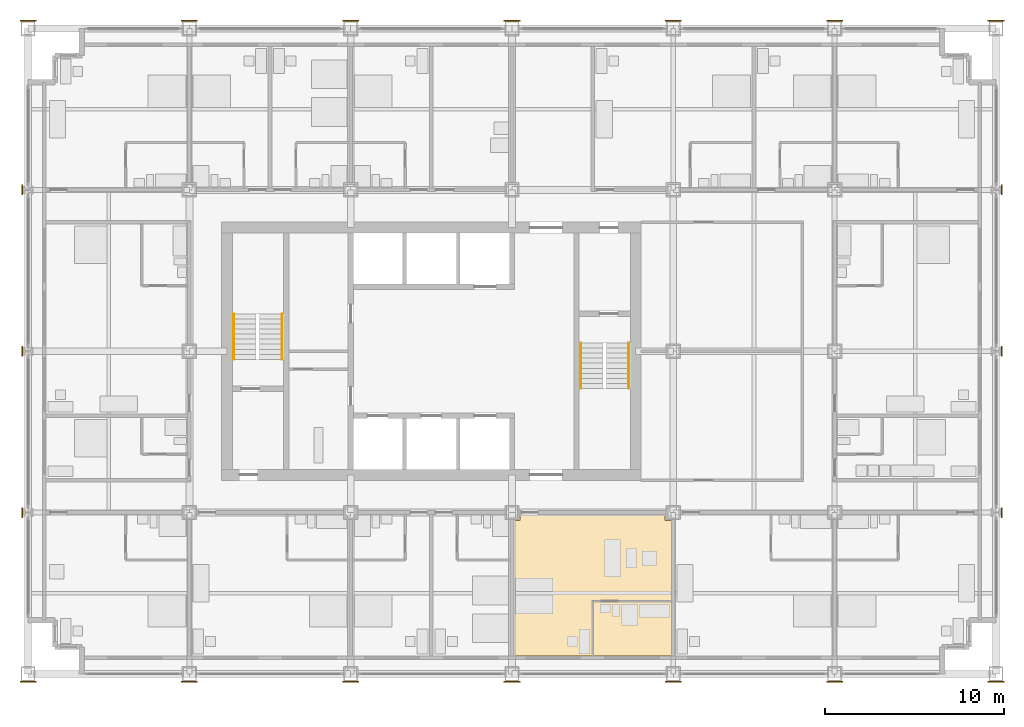
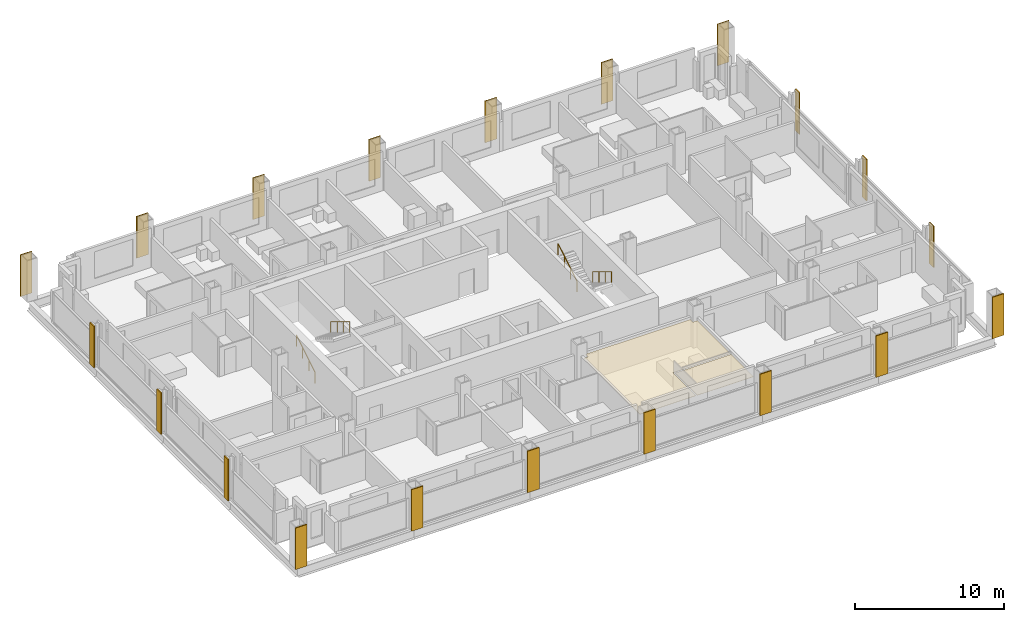
# One storey, part 16 of 18: 22 coverings, 4 railings.
"""IFC4 building model written with IfcOpenShell, lengths in metres."""

import ifcopenshell
import ifcopenshell.guid

model = None  # the IFC model being written
_history = None  # IfcOwnerHistory: only IFC2X3 demands one
_inside = {}  # id of a spatial element -> (the spatial element, [elements in it])
_under = {}  # id of a project, library or spatial element -> (it, [spatial elements below it])
_declared = {}  # id of a project -> (the project, [libraries it declares])
_typed = {}  # id of a type object -> (the type object, [elements of that type])
_made_of = {}  # id of a material, layer set ... -> (it, [elements and type objects made of it])


def new_model(schema):
    """Start an empty IFC model of exactly this schema.

    Asked for "IFC4X3", IfcOpenShell would pick the latest addendum, in which some entities
    have other attributes; the version numbers below select the first issue.
    IFC2X3 requires an IfcOwnerHistory on every rooted entity: one is made here for all.
    """
    global model, _history
    if schema == "IFC4X3":
        model = ifcopenshell.file(schema_version=(4, 3, 0, 0))
    else:
        model = ifcopenshell.file(schema=schema)
    _inside.clear()
    _under.clear()
    _declared.clear()
    _typed.clear()
    _made_of.clear()
    _history = None
    if model.schema == "IFC2X3":
        org = make("IfcOrganization", Name="unknown")
        user = make(
            "IfcPersonAndOrganization",
            ThePerson=make("IfcPerson", FamilyName="unknown"),
            TheOrganization=org,
        )
        app = make(
            "IfcApplication",
            ApplicationDeveloper=org,
            Version="unknown",
            ApplicationFullName="unknown",
            ApplicationIdentifier="unknown",
        )
        _history = make(
            "IfcOwnerHistory",
            OwningUser=user,
            OwningApplication=app,
            ChangeAction="ADDED",
            CreationDate=0,
        )
    return model


def make(cls, **values):
    """One entity of the class cls with the attributes given. An attribute that is None is left unset."""
    return model.create_entity(
        cls, **{name: value for name, value in values.items() if value is not None}
    )


def rooted(cls, **values):
    """An entity with a GlobalId (a new one), such as an element, a storey or a relation."""
    return make(cls, GlobalId=ifcopenshell.guid.new(), OwnerHistory=_history, **values)


def si_unit(unit_type, name, prefix=None):
    """IfcSIUnit, for example si_unit("LENGTHUNIT", "METRE", prefix="MILLI")."""
    return make("IfcSIUnit", UnitType=unit_type, Prefix=prefix, Name=name)


def assignment(units):
    """IfcUnitAssignment: the units of a project."""
    return None if units is None else make("IfcUnitAssignment", Units=units)


def point(xyz):
    """IfcCartesianPoint."""
    return None if xyz is None else make("IfcCartesianPoint", Coordinates=xyz)


def direction(xyz):
    """IfcDirection."""
    return None if xyz is None else make("IfcDirection", DirectionRatios=xyz)


def frame(location, z_axis=None, x_axis=None):
    """IfcAxis2Placement3D, a coordinate frame: its origin and axes. An axis left out is left unset."""
    return make(
        "IfcAxis2Placement3D",
        Location=point(location),
        Axis=direction(z_axis),
        RefDirection=direction(x_axis),
    )


def frame_2d(location, x_axis=None):
    """IfcAxis2Placement2D, a coordinate frame in the plane: its origin and x axis."""
    return make(
        "IfcAxis2Placement2D", Location=point(location), RefDirection=direction(x_axis)
    )


def origin():
    """The frame at (0, 0, 0) with its axes left unset."""
    return frame((0.0, 0.0, 0.0))


def origin_2d():
    """The frame at (0, 0) in the plane with its x axis left unset."""
    return frame_2d((0.0, 0.0))


def place(relative_to, where):
    """IfcLocalPlacement: puts the frame where relative to a parent placement (None: the world)."""
    return make(
        "IfcLocalPlacement", PlacementRelTo=relative_to, RelativePlacement=where
    )


def context(
    kind, dimensions, precision=None, world=None, true_north=None, identifier=None
):
    """IfcGeometricRepresentationContext, for example the 3D "Model" context."""
    return make(
        "IfcGeometricRepresentationContext",
        ContextIdentifier=identifier,
        ContextType=kind,
        CoordinateSpaceDimension=dimensions,
        Precision=precision,
        WorldCoordinateSystem=world,
        TrueNorth=true_north,
    )


def subcontext(parent, identifier, kind, view, scale=None):
    """IfcGeometricRepresentationSubContext, for example "Body" below "Model"."""
    return make(
        "IfcGeometricRepresentationSubContext",
        ContextIdentifier=identifier,
        ContextType=kind,
        ParentContext=parent,
        TargetScale=scale,
        TargetView=view,
    )


def project(units=None, contexts=None):
    """IfcProject with its units and contexts."""
    return rooted(
        "IfcProject",
        Name="project",
        RepresentationContexts=contexts,
        UnitsInContext=assignment(units),
    )


def spatial(cls, under=None, at=None, **own):
    """A site, building, storey or space (cls), placed at a placement, below another one or the project."""
    s = rooted(cls, ObjectPlacement=at, **own)
    if under is not None:
        _under.setdefault(under.id(), (under, []))[1].append(s)
    return s


def polyline(points):
    """IfcPolyline through the points."""
    return make("IfcPolyline", Points=[point(p) for p in points])


def profile(cls, at=None, kind="AREA", **sizes):
    """A parametric profile (cls). Its sizes go by their IFC names, for example OverallWidth=200.0."""
    return make(cls, ProfileType=kind, Position=at, **sizes)


def rectangle(**sizes):
    """IfcRectangleProfileDef."""
    return profile("IfcRectangleProfileDef", **sizes)


def circle(**sizes):
    """IfcCircleProfileDef."""
    return profile("IfcCircleProfileDef", **sizes)


def outline(outer, holes=None, kind="AREA"):
    """IfcArbitraryClosedProfileDef: a profile drawn as a closed curve; with holes, ...WithVoids."""
    if holes is None:
        return make("IfcArbitraryClosedProfileDef", ProfileType=kind, OuterCurve=outer)
    return make(
        "IfcArbitraryProfileDefWithVoids",
        ProfileType=kind,
        OuterCurve=outer,
        InnerCurves=holes,
    )


def extrude(swept, where, along, depth):
    """IfcExtrudedAreaSolid: the profile swept, set in the frame where, extruded along a direction by depth."""
    return make(
        "IfcExtrudedAreaSolid",
        SweptArea=swept,
        Position=where,
        ExtrudedDirection=direction(along),
        Depth=depth,
    )


def shape(context_of_items, identifier, shape_type, items):
    """IfcShapeRepresentation: the items that make up one representation, for example the "Body"."""
    return make(
        "IfcShapeRepresentation",
        ContextOfItems=context_of_items,
        RepresentationIdentifier=identifier,
        RepresentationType=shape_type,
        Items=items,
    )


def material(Name=None, Category=None):
    """IfcMaterial."""
    return make("IfcMaterial", Name=Name, Category=Category)


def layer(
    of_material, thickness, ventilated=None, Name=None, Category=None, Priority=None
):
    """IfcMaterialLayer: one layer of a wall or slab, of a material (None: an air gap)."""
    return make(
        "IfcMaterialLayer",
        Material=of_material,
        LayerThickness=thickness,
        IsVentilated=ventilated,
        Name=Name,
        Category=Category,
        Priority=Priority,
    )


def layer_set(layers, Name=None):
    """IfcMaterialLayerSet."""
    return make("IfcMaterialLayerSet", MaterialLayers=layers, LayerSetName=Name)


def made_of(thing, what):
    """Note that an element or type object is made of a material, layer set ...; save() writes the relation."""
    if what is not None:
        _made_of.setdefault(what.id(), (what, []))[1].append(thing)
    return thing


def type_object(cls, material=None, **own):
    """A type object (cls), such as IfcWallType, which elements share."""
    return made_of(rooted(cls, **own), material)


def element(
    cls,
    number,
    at=None,
    inside=None,
    cuts=None,
    type_object=None,
    material=None,
    context=None,
    identifier="Body",
    shape_type=None,
    held_by="IfcProductDefinitionShape",
    body=None,
    shapes=None,
    **own,
):
    """One element of the class cls, such as IfcWall. Its Tag is "e" and its number.

    at: its placement. inside: the storey or other place that contains it. cuts: it is an
    opening in that element (IfcRelVoidsElement). A single representation is given by context,
    identifier, shape_type and body (its items); several are given by shapes. held_by: the class
    of the entity that holds the representations. save() writes the other relations.
    """
    e = rooted(cls, Tag="e%d" % number, ObjectPlacement=at, **own)
    if body is not None:
        shapes = [shape(context, identifier, shape_type, body)]
    if shapes is not None:
        e.Representation = make(held_by, Representations=shapes)
    if inside is not None:
        _inside.setdefault(inside.id(), (inside, []))[1].append(e)
    if cuts is not None:
        rooted(
            "IfcRelVoidsElement", RelatingBuildingElement=cuts, RelatedOpeningElement=e
        )
    if type_object is not None:
        _typed.setdefault(type_object.id(), (type_object, []))[1].append(e)
    return made_of(e, material)


def aggregate(whole, parts):
    """IfcRelAggregates: a whole, such as a stair, and the parts it consists of."""
    return rooted("IfcRelAggregates", RelatingObject=whole, RelatedObjects=parts)


def save(model, path):
    """Write the relations noted so far, then the file.

    IfcRelAggregates (storeys below a building ...), IfcRelContainedInSpatialStructure (elements
    in a storey), IfcRelDefinesByType, IfcRelAssociatesMaterial and IfcRelDeclares: one each for
    every whole, place, type object, material and project.
    """
    for whole, parts in _under.values():
        aggregate(whole, parts)
    for where, things in _inside.values():
        rooted(
            "IfcRelContainedInSpatialStructure",
            RelatedElements=things,
            RelatingStructure=where,
        )
    for kind, things in _typed.values():
        rooted("IfcRelDefinesByType", RelatedObjects=things, RelatingType=kind)
    for what, things in _made_of.values():
        rooted("IfcRelAssociatesMaterial", RelatedObjects=things, RelatingMaterial=what)
    for by, libraries in _declared.values():
        rooted("IfcRelDeclares", RelatingContext=by, RelatedDefinitions=libraries)
    model.write(path)


model = new_model("IFC4")

# Units and contexts
model_context = context("Model", 3, precision=1e-05, world=origin(), true_north=direction((0.0, 1.0)))
body_context = subcontext(model_context, "Body", "Model", "MODEL_VIEW")
ifc_project = project(units=[si_unit("LENGTHUNIT", "METRE"), si_unit("AREAUNIT", "SQUARE_METRE"), si_unit("VOLUMEUNIT", "CUBIC_METRE"), si_unit("PLANEANGLEUNIT", "RADIAN"), si_unit("MASSUNIT", "GRAM", prefix="KILO")], contexts=[model_context])

# Site, building, storey
site_placement = place(None, origin())
site = spatial("IfcSite", under=ifc_project, at=site_placement, CompositionType="ELEMENT")
building_placement = place(site_placement, origin())
building = spatial("IfcBuilding", under=site, at=building_placement, Name="Loomwork Tower", CompositionType="ELEMENT")
storey_placement = place(building_placement, frame((0.0, 0.0, 62.0)))
storey = spatial("IfcBuildingStorey", under=building, at=storey_placement, Name="L15", CompositionType="ELEMENT", Elevation=62.0)

# Railings
ifc_material_1 = material(Name="Stainless steel handrail", Category="steel")
railing_type = type_object("IfcRailingType", Name="Handrail 900", PredefinedType="HANDRAIL", material=ifc_material_1)
railing_1_placement = place(storey_placement, frame((11.485107421875, 17.550048828125, 0.169921875)))
element("IfcRailing", 1, at=railing_1_placement, inside=storey, type_object=railing_type, Name="Stair A handrail flight 1 L15", PredefinedType="HANDRAIL", context=body_context, shape_type="SweptSolid", body=[
    extrude(circle(Radius=0.02392578125, at=origin_2d()), frame((0.0, 0.0, 0.8759765625), z_axis=(0.0, 0.85478489116, 0.518982456201), x_axis=(-1.0, 0.0, 0.0)), (0.0, 0.0, 1.0), 2.9482421875),
    extrude(circle(Radius=0.02099609375, at=origin_2d()), origin(), (0.0, 0.0, 1.0), 0.851806640625),
    extrude(circle(Radius=0.02099609375, at=origin_2d()), frame((0.0, 0.840087890625, 0.510009765625)), (0.0, 0.0, 1.0), 0.851806640625),
    extrude(circle(Radius=0.02099609375, at=origin_2d()), frame((0.0, 1.679931640625, 1.02001953125)), (0.0, 0.0, 1.0), 0.851806640625),
    extrude(circle(Radius=0.02099609375, at=origin_2d()), frame((0.0, 2.52001953125, 1.530029296875)), (0.0, 0.0, 1.0), 0.851806640625),
])
railing_2_placement = place(storey_placement, frame((14.1650390625, 20.070068359375, 1.8701171875)))
element("IfcRailing", 2, at=railing_2_placement, inside=storey, type_object=railing_type, Name="Stair A handrail flight 2 L15", PredefinedType="HANDRAIL", context=body_context, shape_type="SweptSolid", body=[
    extrude(circle(Radius=0.02392578125, at=origin_2d()), frame((0.0, 0.0, 0.8759765625), z_axis=(0.0, -0.854821627497, 0.518921945155), x_axis=(1.0, 0.0, 0.0)), (0.0, 0.0, 1.0), 2.947998046875),
    extrude(circle(Radius=0.02099609375, at=origin_2d()), origin(), (0.0, 0.0, 1.0), 0.851806640625),
    extrude(circle(Radius=0.02099609375, at=origin_2d()), frame((0.0, -0.840087890625, 0.510009765625)), (0.0, 0.0, 1.0), 0.851806640625),
    extrude(circle(Radius=0.02099609375, at=origin_2d()), frame((0.0, -1.679931640625, 1.019775390625)), (0.0, 0.0, 1.0), 0.851806640625),
    extrude(circle(Radius=0.02099609375, at=origin_2d()), frame((0.0, -2.52001953125, 1.52978515625)), (0.0, 0.0, 1.0), 0.851806640625),
])
railing_3_placement = place(storey_placement, frame((33.514892578125, 18.449951171875, 0.169921875)))
element("IfcRailing", 3, at=railing_3_placement, inside=storey, type_object=railing_type, Name="Stair B handrail flight 1 L15", PredefinedType="HANDRAIL", context=body_context, shape_type="SweptSolid", body=[
    extrude(circle(Radius=0.02392578125, at=origin_2d()), frame((0.0, 0.0, 0.8759765625), z_axis=(0.0, -0.85478489116, 0.518982456201), x_axis=(1.0, 0.0, 0.0)), (0.0, 0.0, 1.0), 2.9482421875),
    extrude(circle(Radius=0.02099609375, at=origin_2d()), origin(), (0.0, 0.0, 1.0), 0.851806640625),
    extrude(circle(Radius=0.02099609375, at=origin_2d()), frame((0.0, -0.840087890625, 0.510009765625)), (0.0, 0.0, 1.0), 0.851806640625),
    extrude(circle(Radius=0.02099609375, at=origin_2d()), frame((0.0, -1.679931640625, 1.02001953125)), (0.0, 0.0, 1.0), 0.851806640625),
    extrude(circle(Radius=0.02099609375, at=origin_2d()), frame((0.0, -2.52001953125, 1.530029296875)), (0.0, 0.0, 1.0), 0.851806640625),
])
railing_4_placement = place(storey_placement, frame((30.8349609375, 15.929931640625, 1.8701171875)))
element("IfcRailing", 4, at=railing_4_placement, inside=storey, type_object=railing_type, Name="Stair B handrail flight 2 L15", PredefinedType="HANDRAIL", context=body_context, shape_type="SweptSolid", body=[
    extrude(circle(Radius=0.02392578125, at=origin_2d()), frame((0.0, 0.0, 0.8759765625), z_axis=(0.0, 0.854821627497, 0.518921945155), x_axis=(-1.0, 0.0, 0.0)), (0.0, 0.0, 1.0), 2.947998046875),
    extrude(circle(Radius=0.02099609375, at=origin_2d()), origin(), (0.0, 0.0, 1.0), 0.851806640625),
    extrude(circle(Radius=0.02099609375, at=origin_2d()), frame((0.0, 0.840087890625, 0.510009765625)), (0.0, 0.0, 1.0), 0.851806640625),
    extrude(circle(Radius=0.02099609375, at=origin_2d()), frame((0.0, 1.679931640625, 1.019775390625)), (0.0, 0.0, 1.0), 0.851806640625),
    extrude(circle(Radius=0.02099609375, at=origin_2d()), frame((0.0, 2.52001953125, 1.52978515625)), (0.0, 0.0, 1.0), 0.851806640625),
])

# Coverings
ifc_material_2 = material(Name="Limestone", Category="masonry")
ifc_layer_1 = layer(ifc_material_2, 0.080078125)
ifc_layer_set_1 = layer_set([ifc_layer_1], Name="Limestone pier facing 80")
covering_type_1 = type_object("IfcCoveringType", Name="Limestone pier facing 80", PredefinedType="CLADDING", material=ifc_layer_set_1)
covering_1_placement = place(storey_placement, frame((0.0, -0.43994140625, 0.0), z_axis=(0.0, 0.0, 1.0), x_axis=(1.0, 0.0, 0.0)))
element("IfcCovering", 5, at=covering_1_placement, inside=storey, type_object=covering_type_1, Name="Pier facing D/2 L15", PredefinedType="CLADDING", context=body_context, shape_type="SweptSolid", body=[
    extrude(rectangle(XDim=0.89990234375, YDim=0.080078125, at=origin_2d()), origin(), (0.0, 0.0, 1.0), 3.39990234375),
])
for number, where, z_axis, x_axis, name in (
    (6, (-0.324462890625, 9.0, 0.0), (0.0, 0.0, 1.0), (1.0, 0.0, 0.0), "Pier facing E/2 L15"),
    (7, (-0.324462890625, 18.0, 0.0), (0.0, 0.0, 1.0), (1.0, 0.0, 0.0), "Pier facing F/2 L15"),
    (8, (-0.324462890625, 27.0, 0.0), (0.0, 0.0, 1.0), (1.0, 0.0, 0.0), "Pier facing G/2 L15"),
):
    element("IfcCovering", number, at=place(storey_placement, frame(where, z_axis=z_axis, x_axis=x_axis)), inside=storey, type_object=covering_type_1, Name=name, PredefinedType="CLADDING", context=body_context, shape_type="SweptSolid", body=[
        extrude(rectangle(XDim=0.080078125, YDim=0.5546875, at=origin_2d()), origin(), (0.0, 0.0, 1.0), 3.39990234375),
    ])
for number, where, z_axis, x_axis, name in (
    (9, (0.0, 36.43994140625, 0.0), (0.0, 0.0, 1.0), (1.0, 0.0, 0.0), "Pier facing H/2 L15"),
    (10, (9.0, -0.43994140625, 0.0), (0.0, 0.0, 1.0), (1.0, 0.0, 0.0), "Pier facing D/3 L15"),
    (11, (9.0, 36.43994140625, 0.0), (0.0, 0.0, 1.0), (1.0, 0.0, 0.0), "Pier facing H/3 L15"),
    (12, (18.0, -0.43994140625, 0.0), (0.0, 0.0, 1.0), (1.0, 0.0, 0.0), "Pier facing D/4 L15"),
    (13, (18.0, 36.43994140625, 0.0), (0.0, 0.0, 1.0), (1.0, 0.0, 0.0), "Pier facing H/4 L15"),
    (14, (27.0, -0.43994140625, 0.0), (0.0, 0.0, 1.0), (1.0, 0.0, 0.0), "Pier facing D/5 L15"),
    (15, (27.0, 36.43994140625, 0.0), (0.0, 0.0, 1.0), (1.0, 0.0, 0.0), "Pier facing H/5 L15"),
    (16, (36.0, -0.43994140625, 0.0), (0.0, 0.0, 1.0), (1.0, 0.0, 0.0), "Pier facing D/6 L15"),
    (17, (36.0, 36.43994140625, 0.0), (0.0, 0.0, 1.0), (1.0, 0.0, 0.0), "Pier facing H/6 L15"),
    (18, (45.0, -0.43994140625, 0.0), (0.0, 0.0, 1.0), (1.0, 0.0, 0.0), "Pier facing D/7 L15"),
    (19, (45.0, 36.43994140625, 0.0), (0.0, 0.0, 1.0), (1.0, 0.0, 0.0), "Pier facing H/7 L15"),
    (20, (54.0, -0.43994140625, 0.0), (0.0, 0.0, 1.0), (1.0, 0.0, 0.0), "Pier facing D/8 L15"),
):
    element("IfcCovering", number, at=place(storey_placement, frame(where, z_axis=z_axis, x_axis=x_axis)), inside=storey, type_object=covering_type_1, Name=name, PredefinedType="CLADDING", context=body_context, shape_type="SweptSolid", body=[
        extrude(rectangle(XDim=0.89990234375, YDim=0.080078125, at=origin_2d()), origin(), (0.0, 0.0, 1.0), 3.39990234375),
    ])
for number, where, z_axis, x_axis, name in (
    (21, (54.324462890625, 9.0, 0.0), (0.0, 0.0, 1.0), (1.0, 0.0, 0.0), "Pier facing E/8 L15"),
    (22, (54.324462890625, 18.0, 0.0), (0.0, 0.0, 1.0), (1.0, 0.0, 0.0), "Pier facing F/8 L15"),
    (23, (54.324462890625, 27.0, 0.0), (0.0, 0.0, 1.0), (1.0, 0.0, 0.0), "Pier facing G/8 L15"),
):
    element("IfcCovering", number, at=place(storey_placement, frame(where, z_axis=z_axis, x_axis=x_axis)), inside=storey, type_object=covering_type_1, Name=name, PredefinedType="CLADDING", context=body_context, shape_type="SweptSolid", body=[
        extrude(rectangle(XDim=0.080078125, YDim=0.5546875, at=origin_2d()), origin(), (0.0, 0.0, 1.0), 3.39990234375),
    ])
covering_2_placement = place(storey_placement, frame((54.0, 36.43994140625, 0.0), z_axis=(0.0, 0.0, 1.0), x_axis=(1.0, 0.0, 0.0)))
element("IfcCovering", 24, at=covering_2_placement, inside=storey, type_object=covering_type_1, Name="Pier facing H/8 L15", PredefinedType="CLADDING", context=body_context, shape_type="SweptSolid", body=[
    extrude(rectangle(XDim=0.89990234375, YDim=0.080078125, at=origin_2d()), origin(), (0.0, 0.0, 1.0), 3.39990234375),
])
ifc_material_3 = material(Name="Mineral fibre acoustic tile on suspension grid")
ifc_layer_2 = layer(ifc_material_3, 0.02490234375)
ifc_layer_set_2 = layer_set([ifc_layer_2], Name="Suspended acoustic ceiling")
covering_type_2 = type_object("IfcCoveringType", Name="Suspended acoustic ceiling", PredefinedType="CEILING", material=ifc_layer_set_2)
covering_3_placement = place(storey_placement, frame((0.0, 0.0, 2.175048828125)))
element("IfcCovering", 25, at=covering_3_placement, inside=storey, type_object=covering_type_2, Name="Ceiling Spa bathroom L15", PredefinedType="CEILING", context=body_context, shape_type="SweptSolid", body=[
    extrude(outline(polyline([(35.89990234375, 4.0), (35.89990234375, 1.0), (31.550048828125, 1.0), (31.550048828125, 4.0), (35.89990234375, 4.0)])), origin(), (0.0, 0.0, 1.0), 0.02490234375),
])
covering_4_placement = place(storey_placement, frame((0.0, 0.0, 2.175048828125)))
element("IfcCovering", 26, at=covering_4_placement, inside=storey, type_object=covering_type_2, Name="Ceiling Spa suite L15", PredefinedType="CEILING", context=body_context, shape_type="SweptSolid", body=[
    extrude(outline(polyline([(35.550048828125, 8.89990234375), (35.550048828125, 8.550048828125), (35.89990234375, 8.550048828125), (35.89990234375, 4.10009765625), (31.449951171875, 4.10009765625), (31.449951171875, 1.0), (27.10009765625, 1.0), (27.10009765625, 8.550048828125), (27.449951171875, 8.550048828125), (27.449951171875, 8.89990234375), (35.550048828125, 8.89990234375)])), origin(), (0.0, 0.0, 1.0), 0.02490234375),
])

save(model, "model.ifc")
